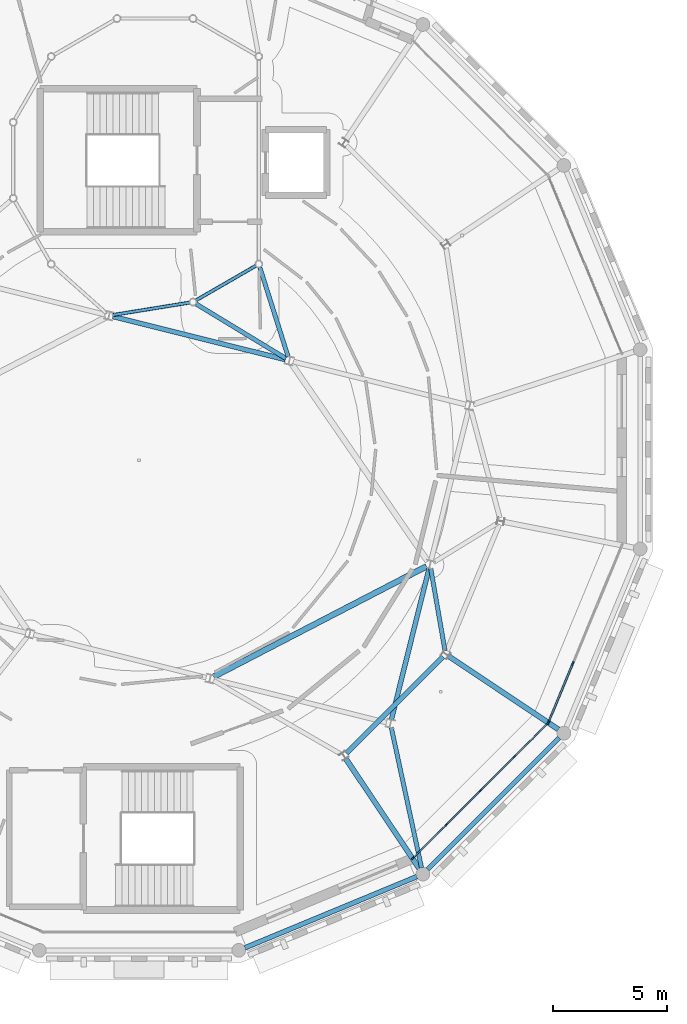
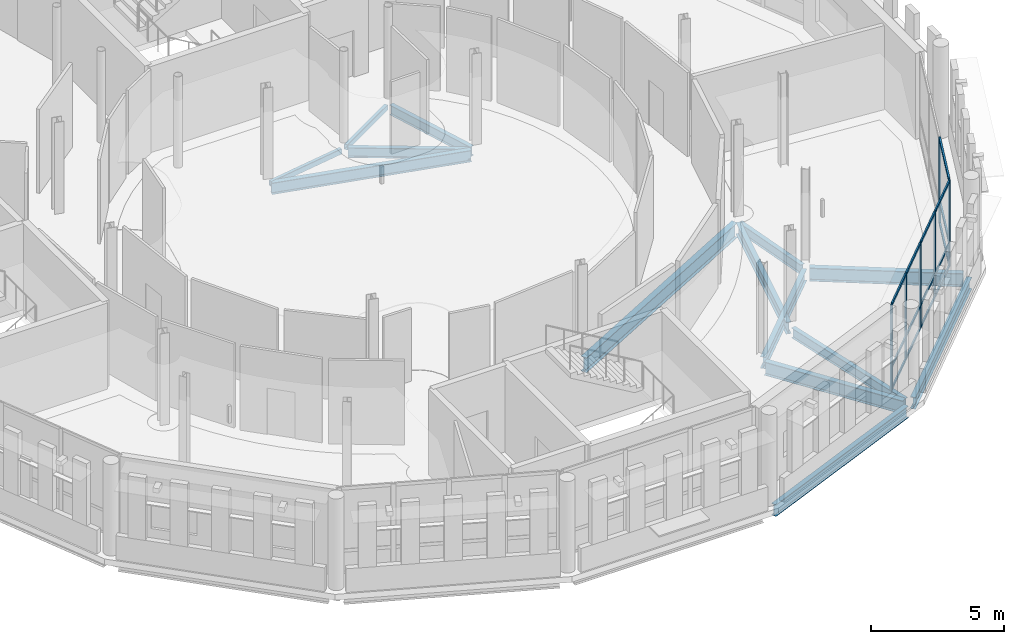
# One storey, part 57 of 125: 22 members, 14 beams, 2 elements without a shape of their own.
"""IFC4 building model written with IfcOpenShell, lengths in metres."""

from ifc_helpers import new_model, si_unit, direction, frame, origin, origin_2d, place, context, subcontext, project, spatial, rectangle, hollow_rectangle, i_section, extrude, material, material_profile, profile_set, type_object, element, aggregate, save


model = new_model("IFC4")

# Units and contexts
model_context = context("Model", 3, precision=1e-05, world=origin(), true_north=direction((0.0, 1.0)))
body_context = subcontext(model_context, "Body", "Model", "MODEL_VIEW")
ifc_project = project(units=[si_unit("LENGTHUNIT", "METRE"), si_unit("AREAUNIT", "SQUARE_METRE"), si_unit("VOLUMEUNIT", "CUBIC_METRE"), si_unit("PLANEANGLEUNIT", "RADIAN"), si_unit("MASSUNIT", "GRAM", prefix="KILO")], contexts=[model_context])

# Site, building, storey
site_placement = place(None, origin())
site = spatial("IfcSite", under=ifc_project, at=site_placement, CompositionType="ELEMENT")
building_placement = place(site_placement, origin())
building = spatial("IfcBuilding", under=site, at=building_placement, Name="Wrenclough Park School", CompositionType="ELEMENT")
storey_placement = place(building_placement, frame((0.0, 0.0, 4.199951171875)))
storey = spatial("IfcBuildingStorey", under=building, at=storey_placement, Name="L01", CompositionType="ELEMENT", Elevation=4.199951171875)

# Curtain wall, members
ifc_material_1 = material(Name="Thermally broken aluminium and low-e glass curtain wall", Category="aluminium")
curtain_wall_type_1 = type_object("IfcCurtainWallType", Name="ENV-CW-15", PredefinedType="USERDEFINED", material=ifc_material_1)
curtain_wall_1_placement = place(storey_placement, origin())
curtain_wall_1 = element("IfcCurtainWall", 1, at=curtain_wall_1_placement, inside=storey, type_object=curtain_wall_type_1, Name="L01 recessed curtain wall assembly 126", ObjectType="CURTAIN WALL", PredefinedType="USERDEFINED")
ifc_material_2 = material(Name="Thermally broken anodised aluminium", Category="aluminium")
ifc_material_profile_1 = material_profile(ifc_material_2, rectangle(XDim=0.06005859375, YDim=0.159912109375, at=origin_2d()), Name="AL MULLION 60x160")
ifc_profile_set_1 = profile_set([ifc_material_profile_1], Name="Thermally broken anodised aluminium")
member_type_1 = type_object("IfcMemberType", Name="ENV-CWM-1", PredefinedType="MULLION", material=ifc_profile_set_1)
member_1_placement = place(storey_placement, frame((173.458740234375, 14.46044921875, 0.0), z_axis=(0.0, 0.0, 1.0), x_axis=(0.707106781187, -0.707106781187, 0.0)))
member_1 = element("IfcMember", 2, at=member_1_placement, type_object=member_type_1, Name="CW-15 mullion 1", PredefinedType="MULLION", context=body_context, shape_type="SweptSolid", body=[
    extrude(rectangle(XDim=0.06005859375, YDim=0.159912109375, at=origin_2d()), origin(), (0.0, 0.0, 1.0), 3.93994140625),
])
member_2_placement = place(storey_placement, frame((171.989501953125, 12.9912109375, 0.0), z_axis=(0.0, 0.0, 1.0), x_axis=(0.707106781187, -0.707106781187, 0.0)))
member_2 = element("IfcMember", 3, at=member_2_placement, type_object=member_type_1, Name="CW-15 mullion 2", PredefinedType="MULLION", context=body_context, shape_type="SweptSolid", body=[
    extrude(rectangle(XDim=0.06005859375, YDim=0.159912109375, at=origin_2d()), origin(), (0.0, 0.0, 1.0), 3.93994140625),
])
member_3_placement = place(storey_placement, frame((170.499267578125, 11.500732421875, 0.0), z_axis=(0.0, 0.0, 1.0), x_axis=(0.707106781187, -0.707106781187, 0.0)))
member_3 = element("IfcMember", 4, at=member_3_placement, type_object=member_type_1, Name="CW-15 mullion 3", PredefinedType="MULLION", context=body_context, shape_type="SweptSolid", body=[
    extrude(rectangle(XDim=0.06005859375, YDim=0.159912109375, at=origin_2d()), origin(), (0.0, 0.0, 1.0), 3.93994140625),
])
member_4_placement = place(storey_placement, frame((169.0087890625, 10.010498046875, 0.0), z_axis=(0.0, 0.0, 1.0), x_axis=(0.707106781187, -0.707106781187, 0.0)))
member_4 = element("IfcMember", 5, at=member_4_placement, type_object=member_type_1, Name="CW-15 mullion 4", PredefinedType="MULLION", context=body_context, shape_type="SweptSolid", body=[
    extrude(rectangle(XDim=0.06005859375, YDim=0.159912109375, at=origin_2d()), origin(), (0.0, 0.0, 1.0), 3.93994140625),
])
member_5_placement = place(storey_placement, frame((167.53955078125, 8.541259765625, 0.0), z_axis=(0.0, 0.0, 1.0), x_axis=(0.707106781187, -0.707106781187, 0.0)))
member_5 = element("IfcMember", 6, at=member_5_placement, type_object=member_type_1, Name="CW-15 mullion 5", PredefinedType="MULLION", context=body_context, shape_type="SweptSolid", body=[
    extrude(rectangle(XDim=0.06005859375, YDim=0.159912109375, at=origin_2d()), origin(), (0.0, 0.0, 1.0), 3.93994140625),
])

curtain_wall_type_2 = type_object("IfcCurtainWallType", Name="ENV-CW-14", PredefinedType="USERDEFINED", material=ifc_material_1)
curtain_wall_2_placement = place(storey_placement, origin())
curtain_wall_2 = element("IfcCurtainWall", 7, at=curtain_wall_2_placement, inside=storey, type_object=curtain_wall_type_2, Name="L01 recessed curtain wall assembly 125", ObjectType="CURTAIN WALL", PredefinedType="USERDEFINED")
ifc_material_profile_2 = material_profile(ifc_material_2, rectangle(XDim=0.070068359375, YDim=0.199951171875, at=origin_2d()), Name="AL MULLION 70x200")
ifc_profile_set_2 = profile_set([ifc_material_profile_2], Name="Thermally broken anodised aluminium")
member_type_2 = type_object("IfcMemberType", Name="ENV-CWM-3", PredefinedType="MULLION", material=ifc_profile_set_2)
member_6_placement = place(storey_placement, frame((174.559814453125, 17.08447265625, 0.0), z_axis=(0.0, 0.0, 1.0), x_axis=(0.923878191205, -0.382686670549, 0.0)))
member_6 = element("IfcMember", 8, at=member_6_placement, type_object=member_type_2, Name="CW-14 mullion 3", PredefinedType="MULLION", context=body_context, shape_type="SweptSolid", body=[
    extrude(rectangle(XDim=0.070068359375, YDim=0.199951171875, at=origin_2d()), origin(), (0.0, 0.0, 1.0), 3.93994140625),
])
member_7_placement = place(storey_placement, frame((173.497802734375, 14.5205078125, 0.0), z_axis=(0.0, 0.0, 1.0), x_axis=(0.923878191205, -0.382686670549, 0.0)))
member_7 = element("IfcMember", 9, at=member_7_placement, type_object=member_type_2, Name="CW-14 mullion 4", PredefinedType="MULLION", context=body_context, shape_type="SweptSolid", body=[
    extrude(rectangle(XDim=0.070068359375, YDim=0.199951171875, at=origin_2d()), origin(), (0.0, 0.0, 1.0), 3.93994140625),
])

# Member
ifc_material_profile_3 = material_profile(ifc_material_2, rectangle(XDim=0.06005859375, YDim=0.1201171875, at=origin_2d()), Name="AL TRANSOM 60x120")
ifc_profile_set_3 = profile_set([ifc_material_profile_3], Name="Thermally broken anodised aluminium")
member_type_3 = type_object("IfcMemberType", Name="ENV-CWT-1", PredefinedType="USERDEFINED", material=ifc_profile_set_3)
member_8_placement = place(storey_placement, frame((173.4375, 14.439208984375, 0.030029296875), z_axis=(-0.707106781187, -0.707106781187, 0.0), x_axis=(0.707106781187, -0.707106781187, 0.0)))
member_8 = element("IfcMember", 10, at=member_8_placement, type_object=member_type_3, Name="CW-15 transom 1.1", ObjectType="TRANSOM", PredefinedType="USERDEFINED", context=body_context, shape_type="SweptSolid", body=[
    extrude(rectangle(XDim=0.06005859375, YDim=0.1201171875, at=origin_2d()), origin(), (0.0, 0.0, 1.0), 2.017822265625),
])

member_9_placement = place(storey_placement, frame((173.4375, 14.439208984375, 1.050048828125), z_axis=(-0.707106781187, -0.707106781187, 0.0), x_axis=(0.707106781187, -0.707106781187, 0.0)))
member_9 = element("IfcMember", 11, at=member_9_placement, type_object=member_type_3, Name="CW-15 transom 1.2", ObjectType="TRANSOM", PredefinedType="USERDEFINED", context=body_context, shape_type="SweptSolid", body=[
    extrude(rectangle(XDim=0.06005859375, YDim=0.1201171875, at=origin_2d()), origin(), (0.0, 0.0, 1.0), 2.017822265625),
])

member_10_placement = place(storey_placement, frame((173.4375, 14.439208984375, 3.91015625), z_axis=(-0.707106781187, -0.707106781187, 0.0), x_axis=(0.707106781187, -0.707106781187, 0.0)))
member_10 = element("IfcMember", 12, at=member_10_placement, type_object=member_type_3, Name="CW-15 transom 1.3", ObjectType="TRANSOM", PredefinedType="USERDEFINED", context=body_context, shape_type="SweptSolid", body=[
    extrude(rectangle(XDim=0.06005859375, YDim=0.1201171875, at=origin_2d()), origin(), (0.0, 0.0, 1.0), 2.017822265625),
])

member_11_placement = place(storey_placement, frame((171.968505859375, 12.969970703125, 0.030029296875), z_axis=(-0.707106781187, -0.707106781187, 0.0), x_axis=(0.707106781187, -0.707106781187, 0.0)))
member_11 = element("IfcMember", 13, at=member_11_placement, type_object=member_type_3, Name="CW-15 transom 2.1", ObjectType="TRANSOM", PredefinedType="USERDEFINED", context=body_context, shape_type="SweptSolid", body=[
    extrude(rectangle(XDim=0.06005859375, YDim=0.1201171875, at=origin_2d()), origin(), (0.0, 0.0, 1.0), 2.0478515625),
])

member_12_placement = place(storey_placement, frame((171.968505859375, 12.969970703125, 1.050048828125), z_axis=(-0.707106781187, -0.707106781187, 0.0), x_axis=(0.707106781187, -0.707106781187, 0.0)))
member_12 = element("IfcMember", 14, at=member_12_placement, type_object=member_type_3, Name="CW-15 transom 2.2", ObjectType="TRANSOM", PredefinedType="USERDEFINED", context=body_context, shape_type="SweptSolid", body=[
    extrude(rectangle(XDim=0.06005859375, YDim=0.1201171875, at=origin_2d()), origin(), (0.0, 0.0, 1.0), 2.0478515625),
])

member_13_placement = place(storey_placement, frame((171.968505859375, 12.969970703125, 3.91015625), z_axis=(-0.707106781187, -0.707106781187, 0.0), x_axis=(0.707106781187, -0.707106781187, 0.0)))
member_13 = element("IfcMember", 15, at=member_13_placement, type_object=member_type_3, Name="CW-15 transom 2.3", ObjectType="TRANSOM", PredefinedType="USERDEFINED", context=body_context, shape_type="SweptSolid", body=[
    extrude(rectangle(XDim=0.06005859375, YDim=0.1201171875, at=origin_2d()), origin(), (0.0, 0.0, 1.0), 2.0478515625),
])

member_14_placement = place(storey_placement, frame((170.47802734375, 11.4794921875, 0.030029296875), z_axis=(-0.707106781187, -0.707106781187, 0.0), x_axis=(0.707106781187, -0.707106781187, 0.0)))
member_14 = element("IfcMember", 16, at=member_14_placement, type_object=member_type_3, Name="CW-15 transom 3.1", ObjectType="TRANSOM", PredefinedType="USERDEFINED", context=body_context, shape_type="SweptSolid", body=[
    extrude(rectangle(XDim=0.06005859375, YDim=0.1201171875, at=origin_2d()), origin(), (0.0, 0.0, 1.0), 2.0478515625),
])

member_15_placement = place(storey_placement, frame((170.47802734375, 11.4794921875, 1.050048828125), z_axis=(-0.707106781187, -0.707106781187, 0.0), x_axis=(0.707106781187, -0.707106781187, 0.0)))
member_15 = element("IfcMember", 17, at=member_15_placement, type_object=member_type_3, Name="CW-15 transom 3.2", ObjectType="TRANSOM", PredefinedType="USERDEFINED", context=body_context, shape_type="SweptSolid", body=[
    extrude(rectangle(XDim=0.06005859375, YDim=0.1201171875, at=origin_2d()), origin(), (0.0, 0.0, 1.0), 2.0478515625),
])

member_16_placement = place(storey_placement, frame((170.47802734375, 11.4794921875, 3.91015625), z_axis=(-0.707106781187, -0.707106781187, 0.0), x_axis=(0.707106781187, -0.707106781187, 0.0)))
member_16 = element("IfcMember", 18, at=member_16_placement, type_object=member_type_3, Name="CW-15 transom 3.3", ObjectType="TRANSOM", PredefinedType="USERDEFINED", context=body_context, shape_type="SweptSolid", body=[
    extrude(rectangle(XDim=0.06005859375, YDim=0.1201171875, at=origin_2d()), origin(), (0.0, 0.0, 1.0), 2.0478515625),
])

member_17_placement = place(storey_placement, frame((168.987548828125, 9.9892578125, 0.030029296875), z_axis=(-0.707106781187, -0.707106781187, 0.0), x_axis=(0.707106781187, -0.707106781187, 0.0)))
member_17 = element("IfcMember", 19, at=member_17_placement, type_object=member_type_3, Name="CW-15 transom 4.1", ObjectType="TRANSOM", PredefinedType="USERDEFINED", context=body_context, shape_type="SweptSolid", body=[
    extrude(rectangle(XDim=0.06005859375, YDim=0.1201171875, at=origin_2d()), origin(), (0.0, 0.0, 1.0), 2.017822265625),
])

member_18_placement = place(storey_placement, frame((168.987548828125, 9.9892578125, 1.050048828125), z_axis=(-0.707106781187, -0.707106781187, 0.0), x_axis=(0.707106781187, -0.707106781187, 0.0)))
member_18 = element("IfcMember", 20, at=member_18_placement, type_object=member_type_3, Name="CW-15 transom 4.2", ObjectType="TRANSOM", PredefinedType="USERDEFINED", context=body_context, shape_type="SweptSolid", body=[
    extrude(rectangle(XDim=0.06005859375, YDim=0.1201171875, at=origin_2d()), origin(), (0.0, 0.0, 1.0), 2.017822265625),
])

member_19_placement = place(storey_placement, frame((168.987548828125, 9.9892578125, 3.91015625), z_axis=(-0.707106781187, -0.707106781187, 0.0), x_axis=(0.707106781187, -0.707106781187, 0.0)))
member_19 = element("IfcMember", 21, at=member_19_placement, type_object=member_type_3, Name="CW-15 transom 4.3", ObjectType="TRANSOM", PredefinedType="USERDEFINED", context=body_context, shape_type="SweptSolid", body=[
    extrude(rectangle(XDim=0.06005859375, YDim=0.1201171875, at=origin_2d()), origin(), (0.0, 0.0, 1.0), 2.017822265625),
])

aggregate(curtain_wall_1, [member_1, member_2, member_3, member_4, member_5, member_8, member_9, member_10, member_11, member_12, member_13, member_14, member_15, member_16, member_17, member_18, member_19])

ifc_material_profile_4 = material_profile(ifc_material_2, rectangle(XDim=0.070068359375, YDim=0.14990234375, at=origin_2d()), Name="AL TRANSOM 70x150")
ifc_profile_set_4 = profile_set([ifc_material_profile_4], Name="Thermally broken anodised aluminium")
member_type_4 = type_object("IfcMemberType", Name="ENV-CWT-3", PredefinedType="USERDEFINED", material=ifc_profile_set_4)
member_20_placement = place(storey_placement, frame((174.54638671875, 17.052001953125, 0.03515625), z_axis=(-0.382737026637, -0.923857331216, 0.0), x_axis=(0.923857331216, -0.382737026637, 0.0)))
member_20 = element("IfcMember", 22, at=member_20_placement, type_object=member_type_4, Name="CW-14 transom 3.1", ObjectType="TRANSOM", PredefinedType="USERDEFINED", context=body_context, shape_type="SweptSolid", body=[
    extrude(rectangle(XDim=0.070068359375, YDim=0.14990234375, at=origin_2d()), origin(), (0.0, 0.0, 1.0), 2.705322265625),
])

member_21_placement = place(storey_placement, frame((174.54638671875, 17.052001953125, 1.050048828125), z_axis=(-0.382737026637, -0.923857331216, 0.0), x_axis=(0.923857331216, -0.382737026637, 0.0)))
member_21 = element("IfcMember", 23, at=member_21_placement, type_object=member_type_4, Name="CW-14 transom 3.2", ObjectType="TRANSOM", PredefinedType="USERDEFINED", context=body_context, shape_type="SweptSolid", body=[
    extrude(rectangle(XDim=0.070068359375, YDim=0.14990234375, at=origin_2d()), origin(), (0.0, 0.0, 1.0), 2.705322265625),
])

member_22_placement = place(storey_placement, frame((174.54638671875, 17.052001953125, 3.905029296875), z_axis=(-0.382737026637, -0.923857331216, 0.0), x_axis=(0.923857331216, -0.382737026637, 0.0)))
member_22 = element("IfcMember", 24, at=member_22_placement, type_object=member_type_4, Name="CW-14 transom 3.3", ObjectType="TRANSOM", PredefinedType="USERDEFINED", context=body_context, shape_type="SweptSolid", body=[
    extrude(rectangle(XDim=0.070068359375, YDim=0.14990234375, at=origin_2d()), origin(), (0.0, 0.0, 1.0), 2.705322265625),
])

aggregate(curtain_wall_2, [member_6, member_7, member_20, member_21, member_22])

# Beams
ifc_material_3 = material(Name="Structural steel S355", Category="steel")
ifc_material_profile_5 = material_profile(ifc_material_3, hollow_rectangle(XDim=0.14990234375, YDim=0.25, WallThickness=0.010009765625, InnerFilletRadius=0.010009765625, OuterFilletRadius=0.014892578125, at=origin_2d()), Name="RHS 250x150x10.0")
ifc_profile_set_5 = profile_set([ifc_material_profile_5], Name="Structural steel S355")
beam_type_1 = type_object("IfcBeamType", Name="STR-BM-RHS250", PredefinedType="SPANDREL", material=ifc_profile_set_5)
beam_1_placement = place(storey_placement, frame((154.3564453125, 32.402587890625, -0.389892578125), z_axis=(0.98721127027, 0.159417401347, 0.0), x_axis=(-0.159417401347, 0.98721127027, 0.0)))
element("IfcBeam", 25, at=beam_1_placement, inside=storey, type_object=beam_type_1, Name="D1-SH L01 cylindrical ring beam 8", PredefinedType="SPANDREL", context=body_context, shape_type="SweptSolid", body=[
    extrude(hollow_rectangle(XDim=0.14990234375, YDim=0.25, WallThickness=0.010009765625, InnerFilletRadius=0.010009765625, OuterFilletRadius=0.014892578125, at=origin_2d()), origin(), (0.0, 0.0, 1.0), 3.40283203125),
])
beam_2_placement = place(storey_placement, frame((158.00390625, 33.047607421875, -0.389892578125), z_axis=(0.866036549371, 0.499980694781, 0.0), x_axis=(-0.499980694781, 0.866036549371, 0.0)))
element("IfcBeam", 26, at=beam_2_placement, inside=storey, type_object=beam_type_1, Name="D1-SH L01 cylindrical ring beam 9", PredefinedType="SPANDREL", context=body_context, shape_type="SweptSolid", body=[
    extrude(hollow_rectangle(XDim=0.14990234375, YDim=0.25, WallThickness=0.010009765625, InnerFilletRadius=0.010009765625, OuterFilletRadius=0.014892578125, at=origin_2d()), origin(), (0.0, 0.0, 1.0), 3.02783203125),
])
ifc_material_profile_6 = material_profile(ifc_material_3, i_section(OverallWidth=0.18994140625, OverallDepth=0.453369140625, WebThickness=0.008544921875, FlangeThickness=0.0126953125, FilletRadius=0.01025390625, at=origin_2d()), Name="UKB 457x191x67")
ifc_profile_set_6 = profile_set([ifc_material_profile_6], Name="Structural steel S355")
beam_type_2 = type_object("IfcBeamType", Name="STR-BM-UKB457A", PredefinedType="BEAM", material=ifc_profile_set_6)
beam_3_placement = place(storey_placement, frame((162.0498046875, 30.56884765625, -0.49169921875), z_axis=(-0.30193215467, 0.953329415247, 0.0), x_axis=(-0.953329415247, -0.30193215467, 0.0)))
element("IfcBeam", 27, at=beam_3_placement, inside=storey, type_object=beam_type_2, Name="Primary frame continuity tie beam 0025", PredefinedType="BEAM", context=body_context, shape_type="SweptSolid", body=[
    extrude(i_section(OverallWidth=0.18994140625, OverallDepth=0.453369140625, WebThickness=0.008544921875, FlangeThickness=0.0126953125, FilletRadius=0.01025390625, at=origin_2d()), origin(), (0.0, 0.0, 1.0), 4.114013671875),
])
beam_4_placement = place(storey_placement, frame((161.950927734375, 30.4912109375, -0.49169921875), z_axis=(-0.85473894985, 0.51905811583, 0.0), x_axis=(-0.51905811583, -0.85473894985, 0.0)))
element("IfcBeam", 28, at=beam_4_placement, inside=storey, type_object=beam_type_2, Name="Primary frame continuity tie beam 0027", PredefinedType="BEAM", context=body_context, shape_type="SweptSolid", body=[
    extrude(i_section(OverallWidth=0.18994140625, OverallDepth=0.453369140625, WebThickness=0.008544921875, FlangeThickness=0.0126953125, FilletRadius=0.01025390625, at=origin_2d()), origin(), (0.0, 0.0, 1.0), 4.619873046875),
])
beam_5_placement = place(storey_placement, frame((166.58203125, 14.275390625, -0.49169921875), z_axis=(0.211007708632, -0.977484397266, 0.0), x_axis=(0.977484397266, 0.211007708632, 0.0)))
element("IfcBeam", 29, at=beam_5_placement, inside=storey, type_object=beam_type_2, Name="Primary frame continuity tie beam 0031", PredefinedType="BEAM", context=body_context, shape_type="SweptSolid", body=[
    extrude(i_section(OverallWidth=0.18994140625, OverallDepth=0.453369140625, WebThickness=0.008544921875, FlangeThickness=0.0126953125, FilletRadius=0.01025390625, at=origin_2d()), origin(), (0.0, 0.0, 1.0), 6.30224609375),
])
beam_6_placement = place(storey_placement, frame((168.316650390625, 21.26025390625, -0.49169921875), z_axis=(0.171113129487, -0.985251387676, 0.0), x_axis=(0.985251387676, 0.171113129487, 0.0)))
element("IfcBeam", 30, at=beam_6_placement, inside=storey, type_object=beam_type_2, Name="Primary frame continuity tie beam 0035", PredefinedType="BEAM", context=body_context, shape_type="SweptSolid", body=[
    extrude(i_section(OverallWidth=0.18994140625, OverallDepth=0.453369140625, WebThickness=0.008544921875, FlangeThickness=0.0126953125, FilletRadius=0.01025390625, at=origin_2d()), origin(), (0.0, 0.0, 1.0), 3.65966796875),
])
ifc_material_profile_7 = material_profile(ifc_material_3, i_section(OverallWidth=0.209228515625, OverallDepth=0.533203125, WebThickness=0.010009765625, FlangeThickness=0.015625, FilletRadius=0.0126953125, at=origin_2d()), Name="UKB 533x210x92")
ifc_profile_set_7 = profile_set([ifc_material_profile_7], Name="Structural steel S355")
beam_type_3 = type_object("IfcBeamType", Name="STR-BM-UKB533A", PredefinedType="BEAM", material=ifc_profile_set_7)
beam_7_placement = place(storey_placement, frame((164.611083984375, 13.14111328125, -0.531494140625), z_axis=(0.707106781187, 0.707106781187, 0.0), x_axis=(-0.707106781187, 0.707106781187, 0.0)))
element("IfcBeam", 31, at=beam_7_placement, inside=storey, type_object=beam_type_3, Name="D1 L01 middle ring beam 14", PredefinedType="BEAM", context=body_context, shape_type="SweptSolid", body=[
    extrude(i_section(OverallWidth=0.209228515625, OverallDepth=0.533203125, WebThickness=0.010009765625, FlangeThickness=0.015625, FilletRadius=0.0126953125, at=origin_2d()), origin(), (0.0, 0.0, 1.0), 6.00732421875),
])
beam_8_placement = place(storey_placement, frame((154.353271484375, 32.330810546875, -0.531494140625), z_axis=(0.970296782276, -0.241917660177, 0.0), x_axis=(0.241917660177, 0.970296782276, 0.0)))
element("IfcBeam", 32, at=beam_8_placement, inside=storey, type_object=beam_type_3, Name="D1 L01 hall frame girder 4.6", PredefinedType="BEAM", context=body_context, shape_type="SweptSolid", body=[
    extrude(i_section(OverallWidth=0.209228515625, OverallDepth=0.533203125, WebThickness=0.010009765625, FlangeThickness=0.015625, FilletRadius=0.0126953125, at=origin_2d()), origin(), (0.0, 0.0, 1.0), 7.80908203125),
])
beam_9_placement = place(storey_placement, frame((166.587646484375, 14.623779296875, -0.531494140625), z_axis=(0.241914313491, 0.970297616677, 0.0), x_axis=(-0.970297616677, 0.241914313491, 0.0)))
element("IfcBeam", 33, at=beam_9_placement, inside=storey, type_object=beam_type_3, Name="D1 L01 hall frame girder 7.8", PredefinedType="BEAM", context=body_context, shape_type="SweptSolid", body=[
    extrude(i_section(OverallWidth=0.209228515625, OverallDepth=0.533203125, WebThickness=0.010009765625, FlangeThickness=0.015625, FilletRadius=0.0126953125, at=origin_2d()), origin(), (0.0, 0.0, 1.0), 6.84228515625),
])
ifc_material_profile_8 = material_profile(ifc_material_3, i_section(OverallWidth=0.210693359375, OverallDepth=0.53955078125, WebThickness=0.01171875, FlangeThickness=0.018798828125, FilletRadius=0.0126953125, at=origin_2d()), Name="UKB 533x210x109")
ifc_profile_set_8 = profile_set([ifc_material_profile_8], Name="Structural steel S355")
beam_type_4 = type_object("IfcBeamType", Name="STR-BM-UKB533B", PredefinedType="SPANDREL", material=ifc_profile_set_8)
for number, where, z_axis, x_axis, name in (
    (34, (160.14599609375, 4.591552734375, -0.53466796875), (0.923872840962, 0.382699586795, 0.0), (-0.382699586795, 0.923872840962, 0.0), "D1 L01 outer ring spandrel beam 13"),
    (35, (168.17626953125, 8.037109375, -0.53466796875), (0.707106781187, 0.707106781187, 0.0), (-0.707106781187, 0.707106781187, 0.0), "D1 L01 outer ring spandrel beam 14"),
):
    element("IfcBeam", number, at=place(storey_placement, frame(where, z_axis=z_axis, x_axis=x_axis)), inside=storey, type_object=beam_type_4, Name=name, PredefinedType="SPANDREL", context=body_context, shape_type="SweptSolid", body=[
        extrude(i_section(OverallWidth=0.210693359375, OverallDepth=0.53955078125, WebThickness=0.01171875, FlangeThickness=0.018798828125, FilletRadius=0.0126953125, at=origin_2d()), origin(), (0.0, 0.0, 1.0), 8.18359375),
    ])
ifc_material_profile_9 = material_profile(ifc_material_3, i_section(OverallWidth=0.22900390625, OverallDepth=0.6123046875, WebThickness=0.011962890625, FlangeThickness=0.01953125, FilletRadius=0.0126953125, at=origin_2d()), Name="UKB 610x229x125")
ifc_profile_set_9 = profile_set([ifc_material_profile_9], Name="Structural steel S355")
beam_type_5 = type_object("IfcBeamType", Name="STR-BM-UKB610", PredefinedType="BEAM", material=ifc_profile_set_9)
for number, where, z_axis, x_axis, name in (
    (36, (167.8125, 8.072998046875, -0.571044921875), (-0.555573382746, 0.831467507714, 0.0), (-0.831467507714, -0.555573382746, 0.0), "D1 L01 radial girder 14"),
    (37, (173.927001953125, 14.1875, -0.571044921875), (-0.831467507714, 0.555573382746, 0.0), (-0.555573382746, -0.831467507714, 0.0), "D1 L01 radial girder 15"),
):
    element("IfcBeam", number, at=place(storey_placement, frame(where, z_axis=z_axis, x_axis=x_axis)), inside=storey, type_object=beam_type_5, Name=name, PredefinedType="BEAM", context=body_context, shape_type="SweptSolid", body=[
        extrude(i_section(OverallWidth=0.22900390625, OverallDepth=0.6123046875, WebThickness=0.011962890625, FlangeThickness=0.01953125, FilletRadius=0.0126953125, at=origin_2d()), origin(), (0.0, 0.0, 1.0), 5.804931640625),
    ])
ifc_material_profile_10 = material_profile(ifc_material_3, i_section(OverallWidth=0.253662109375, OverallDepth=0.68359375, WebThickness=0.012451171875, FlangeThickness=0.01904296875, FilletRadius=0.01513671875, at=origin_2d()), Name="UKB 686x254x140")
ifc_profile_set_10 = profile_set([ifc_material_profile_10], Name="Structural steel S355")
beam_type_6 = type_object("IfcBeamType", Name="STR-BM-UKB686", PredefinedType="BEAM", material=ifc_profile_set_10)
beam_10_placement = place(storey_placement, frame((158.779052734375, 16.50830078125, -0.606689453125), z_axis=(0.887802603669, 0.460224441897, 0.0), x_axis=(-0.460224441897, 0.887802603669, 0.0)))
element("IfcBeam", 38, at=beam_10_placement, inside=storey, type_object=beam_type_6, Name="D1 L01 hall frame girder 5.8", PredefinedType="BEAM", context=body_context, shape_type="SweptSolid", body=[
    extrude(i_section(OverallWidth=0.253662109375, OverallDepth=0.68359375, WebThickness=0.012451171875, FlangeThickness=0.01904296875, FilletRadius=0.01513671875, at=origin_2d()), origin(), (0.0, 0.0, 1.0), 10.529541015625),
])

save(model, "model.ifc")
